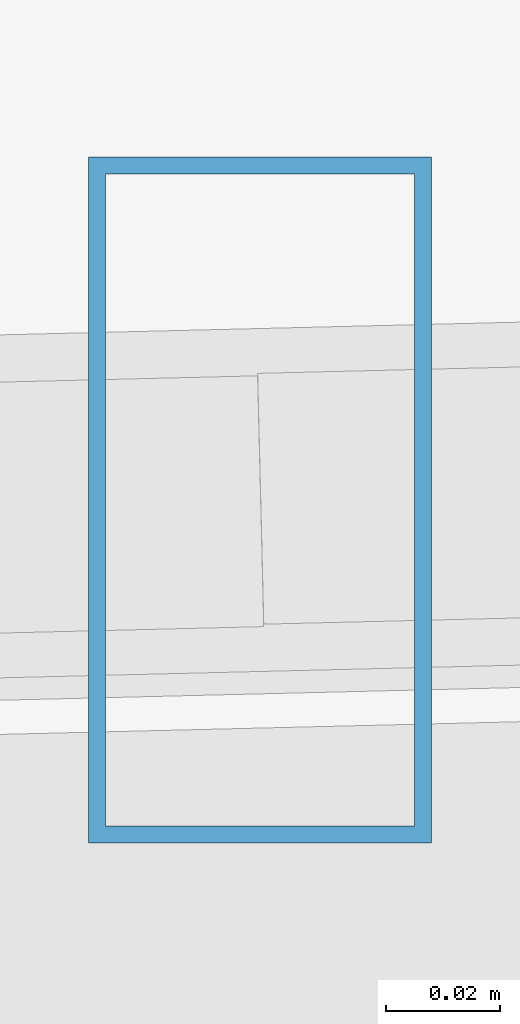
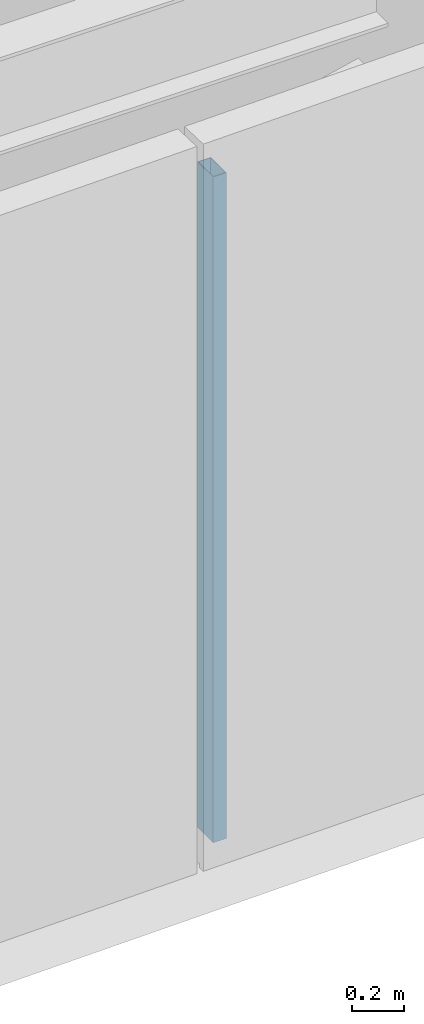
# One storey, part 13 of 44: 1 member, 1 element without a shape of its own.
"""IFC4 building model written with IfcOpenShell, lengths in metres."""

from ifc_helpers import new_model, si_unit, direction, frame, origin, origin_2d, place, context, subcontext, project, spatial, hollow_rectangle, extrude, source, transform, mapped, material, material_profile, profile_set, type_object, type_shapes, element, aggregate, save


model = new_model("IFC4")

# Units and contexts
model_context = context("Model", 3, precision=1e-05, world=origin(), true_north=direction((0.0, 1.0)))
body_context = subcontext(model_context, "Body", "Model", "MODEL_VIEW")
ifc_project = project(units=[si_unit("LENGTHUNIT", "METRE"), si_unit("AREAUNIT", "SQUARE_METRE"), si_unit("VOLUMEUNIT", "CUBIC_METRE"), si_unit("PLANEANGLEUNIT", "RADIAN"), si_unit("MASSUNIT", "GRAM", prefix="KILO")], contexts=[model_context])

# Site, building, storey
site_placement = place(None, origin())
site = spatial("IfcSite", under=ifc_project, at=site_placement, CompositionType="ELEMENT")
building_placement = place(site_placement, origin())
building = spatial("IfcBuilding", under=site, at=building_placement, Name="Caelisora Broadcast Tower", CompositionType="ELEMENT")
storey_placement = place(building_placement, frame((0.0, 0.0, 289.800048828125)))
storey = spatial("IfcBuildingStorey", under=building, at=storey_placement, Name="L76", CompositionType="ELEMENT", Elevation=289.800048828125)

# Curtain wall, member
ifc_material_1 = material(Name="Unitised Aluminium Insulated Shadow-Box Spandrel Curtain Wall", Category="aluminium")
curtain_wall_type = type_object("IfcCurtainWallType", Name="CW-SP3", PredefinedType="NOTDEFINED", material=ifc_material_1)
curtain_wall_placement = place(storey_placement, origin())
curtain_wall = element("IfcCurtainWall", 1, at=curtain_wall_placement, inside=storey, type_object=curtain_wall_type, Name="L76 curtain wall CW-SP3", PredefinedType="NOTDEFINED")
ifc_material_2 = material(Name="Aluminium 6063-T6 Anodised Terracotta Bronze", Category="aluminium")
ifc_material_profile = material_profile(ifc_material_2, hollow_rectangle(XDim=0.06005859375, YDim=0.1201171875, WallThickness=0.0029296875, at=origin_2d()), Name="Aluminium 6063-T6 Anodised Terracotta Bronze")
ifc_profile_set = profile_set([ifc_material_profile], Name="Aluminium 6063-T6 Anodised Terracotta Bronze")
member_type = type_object("IfcMemberType", Name="CWM-04", PredefinedType="MULLION", material=ifc_profile_set)
shared_shape = source(origin(), body_context, "Body", "SweptSolid", [
    extrude(hollow_rectangle(XDim=0.06005859375, YDim=0.1201171875, WallThickness=0.0029296875, at=origin_2d()), origin(), (0.0, 0.0, 1.0), 3.14990234375),
])
type_shapes(member_type, [shared_shape])
member_placement = place(storey_placement, frame((40.015625, 8.915283203125, 0.0), z_axis=(0.0, 0.0, 1.0), x_axis=(1.0, 0.0, 0.0)))
member = element("IfcMember", 2, at=member_placement, type_object=member_type, Name="L76-CW-B06 mullion #1", PredefinedType="MULLION", context=body_context, shape_type="MappedRepresentation", body=[
    mapped(shared_shape, transform((0.0, 0.0, 0.0), scale=1.0)),
])
aggregate(curtain_wall, [member])

save(model, "model.ifc")
